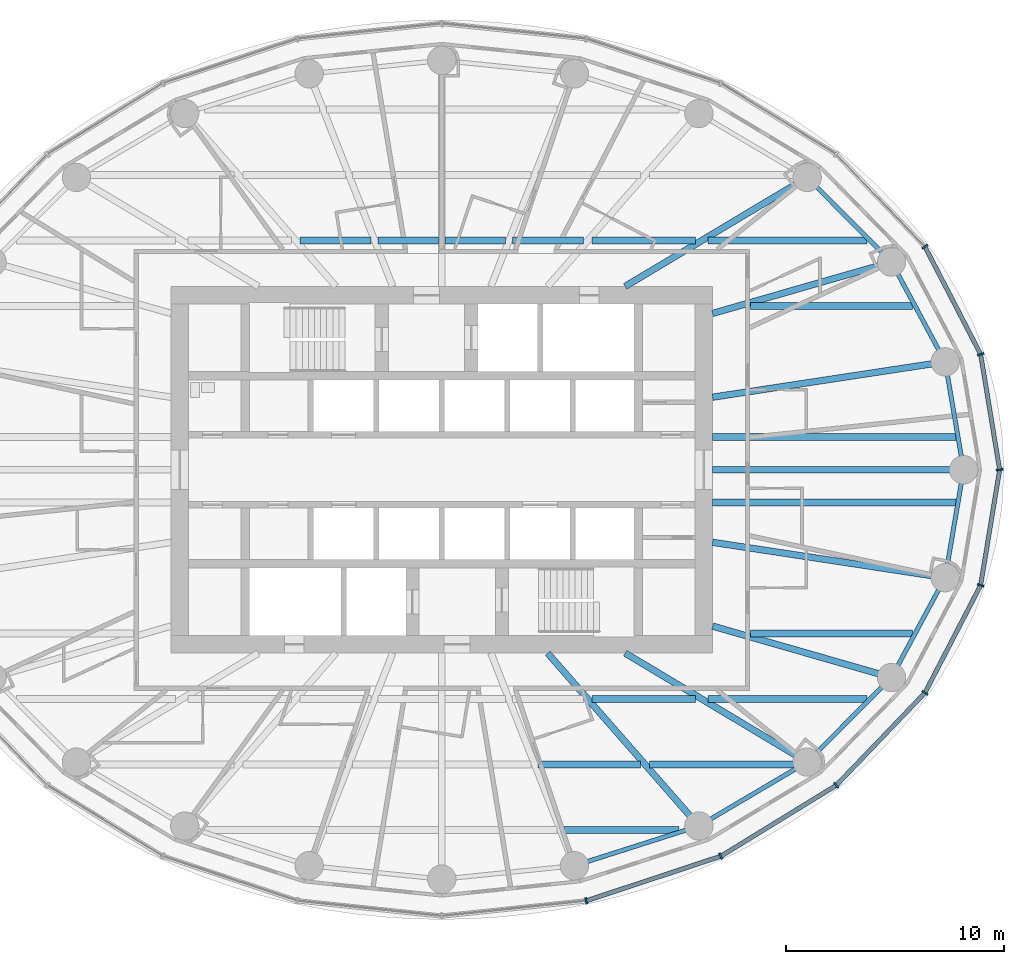
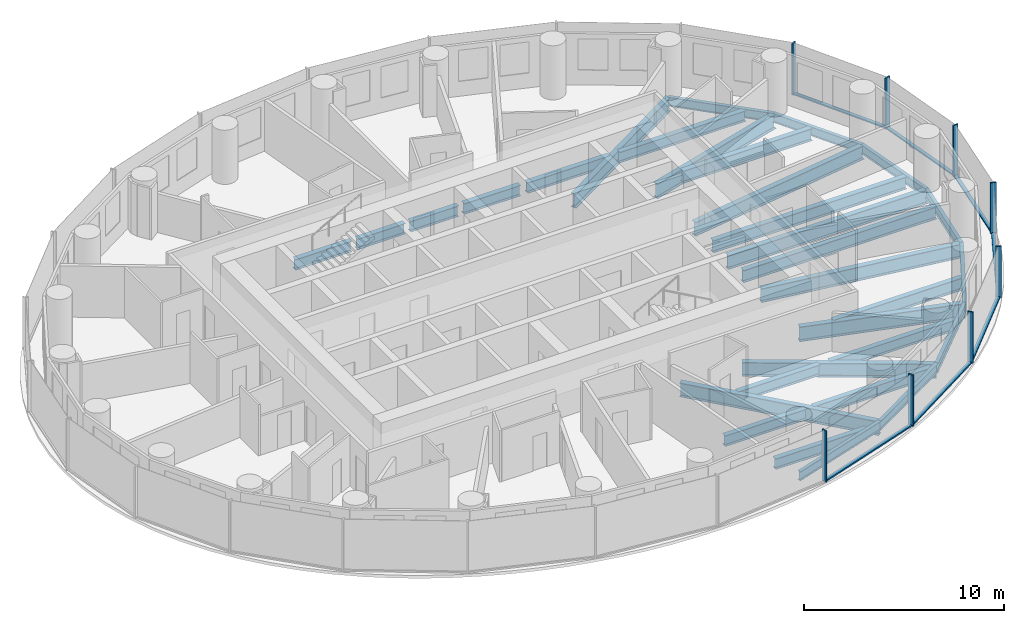
# One storey, part 3 of 14: 31 beams, 15 members, 2 elements without a shape of their own.
"""IFC4 building model written with IfcOpenShell, lengths in metres."""

from ifc_helpers import new_model, si_unit, direction, frame, origin, origin_2d, place, context, subcontext, project, spatial, rectangle, i_section, extrude, material, material_profile, profile_set, type_object, element, aggregate, save


model = new_model("IFC4")

# Units and contexts
model_context = context("Model", 3, precision=1e-05, world=origin(), true_north=direction((0.0, 1.0)))
body_context = subcontext(model_context, "Body", "Model", "MODEL_VIEW")
ifc_project = project(units=[si_unit("LENGTHUNIT", "METRE"), si_unit("AREAUNIT", "SQUARE_METRE"), si_unit("VOLUMEUNIT", "CUBIC_METRE"), si_unit("PLANEANGLEUNIT", "RADIAN"), si_unit("MASSUNIT", "GRAM", prefix="KILO")], contexts=[model_context])

# Site, building, storey
site_placement = place(None, origin())
site = spatial("IfcSite", under=ifc_project, at=site_placement, CompositionType="ELEMENT")
building_placement = place(site_placement, origin())
building = spatial("IfcBuilding", under=site, at=building_placement, Name="Hankou Lantern Tower", CompositionType="ELEMENT")
storey_placement = place(building_placement, frame((0.0, 0.0, 108.89990234375)))
storey = spatial("IfcBuildingStorey", under=building, at=storey_placement, Name="L27", CompositionType="ELEMENT", Elevation=108.89990234375)

# Beams
ifc_material_1 = material(Name="Steel Q355B", Category="steel")
ifc_material_profile_1 = material_profile(ifc_material_1, i_section(OverallWidth=0.199951171875, OverallDepth=0.550048828125, WebThickness=0.010009765625, FlangeThickness=0.01611328125, FilletRadius=0.012939453125, at=origin_2d()), Name="HN550x200x10x16")
ifc_profile_set_1 = profile_set([ifc_material_profile_1], Name="Steel Q355B")
beam_type_1 = type_object("IfcBeamType", Name="EB6 RING BEAM HN550x200x10x16", PredefinedType="SPANDREL", material=ifc_profile_set_1)
beam_1_placement = place(storey_placement, frame((23.89990234375, 0.0, -0.454833984375), z_axis=(-0.168527258545, 0.985696993567, 0.0), x_axis=(-0.985696993567, -0.168527258545, 0.0)))
element("IfcBeam", 1, at=beam_1_placement, inside=storey, type_object=beam_type_1, Name="Ring beam R01-R02 L27", PredefinedType="SPANDREL", context=body_context, shape_type="SweptSolid", body=[
    extrude(i_section(OverallWidth=0.199951171875, OverallDepth=0.550048828125, WebThickness=0.010009765625, FlangeThickness=0.01611328125, FilletRadius=0.012939453125, at=origin_2d()), origin(), (0.0, 0.0, 1.0), 5.013916015625),
])
beam_2_placement = place(storey_placement, frame((23.054931640625, 4.942138671875, -0.454833984375), z_axis=(-0.473824901673, 0.880619079145, 0.0), x_axis=(-0.880619079145, -0.473824901673, 0.0)))
element("IfcBeam", 2, at=beam_2_placement, inside=storey, type_object=beam_type_1, Name="Ring beam R02-R03 L27", PredefinedType="SPANDREL", context=body_context, shape_type="SweptSolid", body=[
    extrude(i_section(OverallWidth=0.199951171875, OverallDepth=0.550048828125, WebThickness=0.010009765625, FlangeThickness=0.01611328125, FilletRadius=0.012939453125, at=origin_2d()), origin(), (0.0, 0.0, 1.0), 5.190185546875),
])
beam_3_placement = place(storey_placement, frame((20.595703125, 9.5126953125, -0.454833984375), z_axis=(-0.705945468625, 0.708266189599, 0.0), x_axis=(-0.708266189599, -0.705945468625, 0.0)))
element("IfcBeam", 3, at=beam_3_placement, inside=storey, type_object=beam_type_1, Name="Ring beam R03-R04 L27", PredefinedType="SPANDREL", context=body_context, shape_type="SweptSolid", body=[
    extrude(i_section(OverallWidth=0.199951171875, OverallDepth=0.550048828125, WebThickness=0.010009765625, FlangeThickness=0.01611328125, FilletRadius=0.012939453125, at=origin_2d()), origin(), (0.0, 0.0, 1.0), 5.470458984375),
])
beam_4_placement = place(storey_placement, frame((6.073974609375, -18.134521484375, -0.454833984375), z_axis=(0.952731090451, 0.303814860215, 0.0), x_axis=(-0.303814860215, 0.952731090451, 0.0)))
element("IfcBeam", 4, at=beam_4_placement, inside=storey, type_object=beam_type_1, Name="Ring beam R20-R21 L27", PredefinedType="SPANDREL", context=body_context, shape_type="SweptSolid", body=[
    extrude(i_section(OverallWidth=0.199951171875, OverallDepth=0.550048828125, WebThickness=0.010009765625, FlangeThickness=0.01611328125, FilletRadius=0.012939453125, at=origin_2d()), origin(), (0.0, 0.0, 1.0), 5.984375),
])
beam_5_placement = place(storey_placement, frame((11.775390625, -16.31640625, -0.454833984375), z_axis=(0.860988974188, 0.508623619513, 0.0), x_axis=(-0.508623619513, 0.860988974188, 0.0)))
element("IfcBeam", 5, at=beam_5_placement, inside=storey, type_object=beam_type_1, Name="Ring beam R21-R22 L27", PredefinedType="SPANDREL", context=body_context, shape_type="SweptSolid", body=[
    extrude(i_section(OverallWidth=0.199951171875, OverallDepth=0.550048828125, WebThickness=0.010009765625, FlangeThickness=0.01611328125, FilletRadius=0.012939453125, at=origin_2d()), origin(), (0.0, 0.0, 1.0), 5.759033203125),
])
beam_6_placement = place(storey_placement, frame((16.73388671875, -13.38720703125, -0.454833984375), z_axis=(0.705945468625, 0.708266189599, 0.0), x_axis=(-0.708266189599, 0.705945468625, 0.0)))
element("IfcBeam", 6, at=beam_6_placement, inside=storey, type_object=beam_type_1, Name="Ring beam R22-R23 L27", PredefinedType="SPANDREL", context=body_context, shape_type="SweptSolid", body=[
    extrude(i_section(OverallWidth=0.199951171875, OverallDepth=0.550048828125, WebThickness=0.010009765625, FlangeThickness=0.01611328125, FilletRadius=0.012939453125, at=origin_2d()), origin(), (0.0, 0.0, 1.0), 5.470458984375),
])
beam_7_placement = place(storey_placement, frame((20.595703125, -9.5126953125, -0.454833984375), z_axis=(0.473824901673, 0.880619079145, 0.0), x_axis=(-0.880619079145, 0.473824901673, 0.0)))
element("IfcBeam", 7, at=beam_7_placement, inside=storey, type_object=beam_type_1, Name="Ring beam R23-R24 L27", PredefinedType="SPANDREL", context=body_context, shape_type="SweptSolid", body=[
    extrude(i_section(OverallWidth=0.199951171875, OverallDepth=0.550048828125, WebThickness=0.010009765625, FlangeThickness=0.01611328125, FilletRadius=0.012939453125, at=origin_2d()), origin(), (0.0, 0.0, 1.0), 5.190185546875),
])
beam_8_placement = place(storey_placement, frame((23.054931640625, -4.942138671875, -0.454833984375), z_axis=(0.168527258545, 0.985696993567, 0.0), x_axis=(-0.985696993567, 0.168527258545, 0.0)))
element("IfcBeam", 8, at=beam_8_placement, inside=storey, type_object=beam_type_1, Name="Ring beam R24-R01 L27", PredefinedType="SPANDREL", context=body_context, shape_type="SweptSolid", body=[
    extrude(i_section(OverallWidth=0.199951171875, OverallDepth=0.550048828125, WebThickness=0.010009765625, FlangeThickness=0.01611328125, FilletRadius=0.012939453125, at=origin_2d()), origin(), (0.0, 0.0, 1.0), 5.013916015625),
])

# Curtain wall, members
ifc_material_2 = material(Name="Glass, dark grey tinted laminated", Category="glass")
curtain_wall_type = type_object("IfcCurtainWallType", Name="CWB OUTER SKIN MID-RISE", PredefinedType="USERDEFINED", material=ifc_material_2)
curtain_wall_1_placement = place(storey_placement, origin())
curtain_wall_1 = element("IfcCurtainWall", 9, at=curtain_wall_1_placement, inside=storey, type_object=curtain_wall_type, Name="CWB L27 OS1", ObjectType="OUTER SKIN MID-RISE", PredefinedType="USERDEFINED")
ifc_material_3 = material(Name="Aluminium, black anodised", Category="aluminium")
ifc_material_profile_2 = material_profile(ifc_material_3, rectangle(XDim=0.080078125, YDim=0.300048828125, at=origin_2d()), Name="MU1 80X300")
ifc_profile_set_2 = profile_set([ifc_material_profile_2], Name="Aluminium, black anodised")
member_type_1 = type_object("IfcMemberType", Name="MU1 OUTER SKIN MULLION 80X300", PredefinedType="MULLION", material=ifc_profile_set_2)
member_1_placement = place(storey_placement, frame((25.550048828125, 0.0, 0.0), z_axis=(0.0, 0.0, 1.0), x_axis=(-0.162381515188, 0.986728049427, 0.0)))
member_1 = element("IfcMember", 10, at=member_1_placement, type_object=member_type_1, Name="CWB mullion 1", PredefinedType="MULLION", context=body_context, shape_type="SweptSolid", body=[
    extrude(rectangle(XDim=0.080078125, YDim=0.300048828125, at=origin_2d()), origin(), (0.0, 0.0, 1.0), 3.1201171875),
])
member_2_placement = place(storey_placement, frame((24.679443359375, 5.290283203125, 0.0), z_axis=(0.0, 0.0, 1.0), x_axis=(-0.317595577365, 0.94822626479, 0.0)))
member_2 = element("IfcMember", 11, at=member_2_placement, type_object=member_type_1, Name="CWB mullion 2", PredefinedType="MULLION", context=body_context, shape_type="SweptSolid", body=[
    extrude(rectangle(XDim=0.080078125, YDim=0.300048828125, at=origin_2d()), origin(), (0.0, 0.0, 1.0), 3.1201171875),
])
member_3_placement = place(storey_placement, frame((22.126953125, 10.219970703125, 0.0), z_axis=(0.0, 0.0, 1.0), x_axis=(-0.585205735974, 0.810884854084, 0.0)))
member_3 = element("IfcMember", 12, at=member_3_placement, type_object=member_type_1, Name="CWB mullion 3", PredefinedType="MULLION", context=body_context, shape_type="SweptSolid", body=[
    extrude(rectangle(XDim=0.080078125, YDim=0.300048828125, at=origin_2d()), origin(), (0.0, 0.0, 1.0), 3.1201171875),
])

curtain_wall_2_placement = place(storey_placement, origin())
curtain_wall_2 = element("IfcCurtainWall", 13, at=curtain_wall_2_placement, inside=storey, type_object=curtain_wall_type, Name="CWB L27 OS4", ObjectType="OUTER SKIN MID-RISE", PredefinedType="USERDEFINED")
member_4_placement = place(storey_placement, frame((6.61279296875, -19.743408203125, 0.0), z_axis=(0.0, 0.0, 1.0), x_axis=(0.977787659625, 0.209597931016, 0.0)))
member_4 = element("IfcMember", 14, at=member_4_placement, type_object=member_type_1, Name="CWB mullion 2", PredefinedType="MULLION", context=body_context, shape_type="SweptSolid", body=[
    extrude(rectangle(XDim=0.080078125, YDim=0.300048828125, at=origin_2d()), origin(), (0.0, 0.0, 1.0), 3.1201171875),
])
member_5_placement = place(storey_placement, frame((12.77490234375, -17.70166015625, 0.0), z_axis=(0.0, 0.0, 1.0), x_axis=(0.907841299004, 0.419313934686, 0.0)))
member_5 = element("IfcMember", 15, at=member_5_placement, type_object=member_type_1, Name="CWB mullion 3", PredefinedType="MULLION", context=body_context, shape_type="SweptSolid", body=[
    extrude(rectangle(XDim=0.080078125, YDim=0.300048828125, at=origin_2d()), origin(), (0.0, 0.0, 1.0), 3.1201171875),
])
member_6_placement = place(storey_placement, frame((18.066650390625, -14.453369140625, 0.0), z_axis=(0.0, 0.0, 1.0), x_axis=(0.780868809444, 0.624695047553, 0.0)))
member_6 = element("IfcMember", 16, at=member_6_placement, type_object=member_type_1, Name="CWB mullion 4", PredefinedType="MULLION", context=body_context, shape_type="SweptSolid", body=[
    extrude(rectangle(XDim=0.080078125, YDim=0.300048828125, at=origin_2d()), origin(), (0.0, 0.0, 1.0), 3.1201171875),
])
member_7_placement = place(storey_placement, frame((22.126953125, -10.219970703125, 0.0), z_axis=(0.0, 0.0, 1.0), x_axis=(0.585205735974, 0.810884854084, 0.0)))
member_7 = element("IfcMember", 17, at=member_7_placement, type_object=member_type_1, Name="CWB mullion 5", PredefinedType="MULLION", context=body_context, shape_type="SweptSolid", body=[
    extrude(rectangle(XDim=0.080078125, YDim=0.300048828125, at=origin_2d()), origin(), (0.0, 0.0, 1.0), 3.1201171875),
])
member_8_placement = place(storey_placement, frame((24.679443359375, -5.290283203125, 0.0), z_axis=(0.0, 0.0, 1.0), x_axis=(0.317595577365, 0.94822626479, 0.0)))
member_8 = element("IfcMember", 18, at=member_8_placement, type_object=member_type_1, Name="CWB mullion 6", PredefinedType="MULLION", context=body_context, shape_type="SweptSolid", body=[
    extrude(rectangle(XDim=0.080078125, YDim=0.300048828125, at=origin_2d()), origin(), (0.0, 0.0, 1.0), 3.1201171875),
])

# Beams
ifc_material_4 = material(Name="Steel Q355B", Category="steel")
ifc_material_profile_3 = material_profile(ifc_material_4, i_section(OverallWidth=0.300048828125, OverallDepth=0.85009765625, WebThickness=0.01611328125, FlangeThickness=0.027099609375, FilletRadius=0.01806640625, at=origin_2d()), Name="HN850x300x16x27")
ifc_profile_set_3 = profile_set([ifc_material_profile_3], Name="Steel Q355B")
beam_type_2 = type_object("IfcBeamType", Name="RB12 RADIAL BEAM HN850x300x16x27", PredefinedType="BEAM", material=ifc_profile_set_3)
beam_9_placement = place(storey_placement, frame((12.39990234375, 0.0, -0.60498046875), z_axis=(1.0, 0.0, 0.0), x_axis=(0.0, 1.0, 0.0)))
element("IfcBeam", 19, at=beam_9_placement, inside=storey, type_object=beam_type_2, Name="Radial beam R01 L27", PredefinedType="BEAM", context=body_context, shape_type="SweptSolid", body=[
    extrude(i_section(OverallWidth=0.300048828125, OverallDepth=0.85009765625, WebThickness=0.01611328125, FlangeThickness=0.027099609375, FilletRadius=0.01806640625, at=origin_2d()), origin(), (0.0, 0.0, 1.0), 11.5),
])
beam_10_placement = place(storey_placement, frame((12.39990234375, 3.322509765625, -0.60498046875), z_axis=(0.988643506875, 0.150279793429, 0.0), x_axis=(-0.150279793429, 0.988643506875, 0.0)))
element("IfcBeam", 20, at=beam_10_placement, inside=storey, type_object=beam_type_2, Name="Radial beam R02 L27", PredefinedType="BEAM", context=body_context, shape_type="SweptSolid", body=[
    extrude(i_section(OverallWidth=0.300048828125, OverallDepth=0.85009765625, WebThickness=0.01611328125, FlangeThickness=0.027099609375, FilletRadius=0.01806640625, at=origin_2d()), origin(), (0.0, 0.0, 1.0), 10.77734375),
])
beam_11_placement = place(storey_placement, frame((8.39990234375, 8.39990234375, -0.60498046875), z_axis=(0.858086776551, 0.513504706802, 0.0), x_axis=(-0.513504706802, 0.858086776551, 0.0)))
element("IfcBeam", 21, at=beam_11_placement, inside=storey, type_object=beam_type_2, Name="Radial beam R04 L27", PredefinedType="BEAM", context=body_context, shape_type="SweptSolid", body=[
    extrude(i_section(OverallWidth=0.300048828125, OverallDepth=0.85009765625, WebThickness=0.01611328125, FlangeThickness=0.027099609375, FilletRadius=0.01806640625, at=origin_2d()), origin(), (0.0, 0.0, 1.0), 9.71240234375),
])
beam_12_placement = place(storey_placement, frame((4.849853515625, -8.39990234375, -0.60498046875), z_axis=(0.658429014446, -0.752642832249, 0.0), x_axis=(0.752642832249, 0.658429014446, 0.0)))
element("IfcBeam", 22, at=beam_12_placement, inside=storey, type_object=beam_type_2, Name="Radial beam R21 L27", PredefinedType="BEAM", context=body_context, shape_type="SweptSolid", body=[
    extrude(i_section(OverallWidth=0.300048828125, OverallDepth=0.85009765625, WebThickness=0.01611328125, FlangeThickness=0.027099609375, FilletRadius=0.01806640625, at=origin_2d()), origin(), (0.0, 0.0, 1.0), 10.518310546875),
])
beam_13_placement = place(storey_placement, frame((8.39990234375, -8.39990234375, -0.60498046875), z_axis=(0.858086776551, -0.513504706802, 0.0), x_axis=(0.513504706802, 0.858086776551, 0.0)))
element("IfcBeam", 23, at=beam_13_placement, inside=storey, type_object=beam_type_2, Name="Radial beam R22 L27", PredefinedType="BEAM", context=body_context, shape_type="SweptSolid", body=[
    extrude(i_section(OverallWidth=0.300048828125, OverallDepth=0.85009765625, WebThickness=0.01611328125, FlangeThickness=0.027099609375, FilletRadius=0.01806640625, at=origin_2d()), origin(), (0.0, 0.0, 1.0), 9.71240234375),
])
beam_14_placement = place(storey_placement, frame((12.39990234375, -3.322509765625, -0.60498046875), z_axis=(0.988643506875, -0.150279793429, 0.0), x_axis=(0.150279793429, 0.988643506875, 0.0)))
element("IfcBeam", 24, at=beam_14_placement, inside=storey, type_object=beam_type_2, Name="Radial beam R24 L27", PredefinedType="BEAM", context=body_context, shape_type="SweptSolid", body=[
    extrude(i_section(OverallWidth=0.300048828125, OverallDepth=0.85009765625, WebThickness=0.01611328125, FlangeThickness=0.027099609375, FilletRadius=0.01806640625, at=origin_2d()), origin(), (0.0, 0.0, 1.0), 10.77734375),
])
ifc_material_5 = material(Name="Steel Q355B", Category="steel")
ifc_material_profile_4 = material_profile(ifc_material_5, i_section(OverallWidth=0.300048828125, OverallDepth=0.89990234375, WebThickness=0.01611328125, FlangeThickness=0.028076171875, FilletRadius=0.01806640625, at=origin_2d()), Name="HN900x300x16x28")
ifc_profile_set_4 = profile_set([ifc_material_profile_4], Name="Steel Q355B")
beam_type_3 = type_object("IfcBeamType", Name="RB13 RADIAL BEAM HN900x300x16x28", PredefinedType="BEAM", material=ifc_profile_set_4)
for number, where, z_axis, x_axis, name in (
    (25, (12.39990234375, 7.1591796875, -0.6298828125), (0.961155741911, 0.276006593745, 0.0), (-0.276006593745, 0.961155741911, 0.0), "Radial beam R03 L27"),
    (26, (12.39990234375, -7.1591796875, -0.6298828125), (0.961155741911, -0.276006593745, 0.0), (0.276006593745, 0.961155741911, 0.0), "Radial beam R23 L27"),
):
    element("IfcBeam", number, at=place(storey_placement, frame(where, z_axis=z_axis, x_axis=x_axis)), inside=storey, type_object=beam_type_3, Name=name, PredefinedType="BEAM", context=body_context, shape_type="SweptSolid", body=[
        extrude(i_section(OverallWidth=0.300048828125, OverallDepth=0.89990234375, WebThickness=0.01611328125, FlangeThickness=0.028076171875, FilletRadius=0.01806640625, at=origin_2d()), origin(), (0.0, 0.0, 1.0), 8.527099609375),
    ])
ifc_material_6 = material(Name="Steel Q355B", Category="steel")
ifc_material_profile_5 = material_profile(ifc_material_6, i_section(OverallWidth=0.300048828125, OverallDepth=0.75, WebThickness=0.012939453125, FlangeThickness=0.02392578125, FilletRadius=0.01806640625, at=origin_2d()), Name="HN750x300x13x24")
ifc_profile_set_5 = profile_set([ifc_material_profile_5], Name="Steel Q355B")
beam_type_4 = type_object("IfcBeamType", Name="SB10 SECONDARY BEAM HN750x300x13x24", PredefinedType="JOIST", material=ifc_profile_set_5)
beam_15_placement = place(storey_placement, frame((14.13037109375, -7.5, -0.554931640625), z_axis=(1.0, 0.0, 0.0), x_axis=(0.0, 1.0, 0.0)))
element("IfcBeam", 27, at=beam_15_placement, inside=storey, type_object=beam_type_4, Name="Floor joist J020 L27", PredefinedType="JOIST", context=body_context, shape_type="SweptSolid", body=[
    extrude(i_section(OverallWidth=0.300048828125, OverallDepth=0.75, WebThickness=0.012939453125, FlangeThickness=0.02392578125, FilletRadius=0.01806640625, at=origin_2d()), origin(), (0.0, 0.0, 1.0), 7.4345703125),
])
for number, where, z_axis, x_axis, name in (
    (28, (12.39990234375, -1.5, -0.554931640625), (1.0, 0.0, 0.0), (0.0, 1.0, 0.0), "Floor joist J026 L27"),
    (29, (12.39990234375, 1.5, -0.554931640625), (1.0, 0.0, 0.0), (0.0, 1.0, 0.0), "Floor joist J028 L27"),
):
    element("IfcBeam", number, at=place(storey_placement, frame(where, z_axis=z_axis, x_axis=x_axis)), inside=storey, type_object=beam_type_4, Name=name, PredefinedType="JOIST", context=body_context, shape_type="SweptSolid", body=[
        extrude(i_section(OverallWidth=0.300048828125, OverallDepth=0.75, WebThickness=0.012939453125, FlangeThickness=0.02392578125, FilletRadius=0.01806640625, at=origin_2d()), origin(), (0.0, 0.0, 1.0), 11.14208984375),
    ])
beam_16_placement = place(storey_placement, frame((14.13037109375, 7.5, -0.554931640625), z_axis=(1.0, 0.0, 0.0), x_axis=(0.0, 1.0, 0.0)))
element("IfcBeam", 30, at=beam_16_placement, inside=storey, type_object=beam_type_4, Name="Floor joist J034 L27", PredefinedType="JOIST", context=body_context, shape_type="SweptSolid", body=[
    extrude(i_section(OverallWidth=0.300048828125, OverallDepth=0.75, WebThickness=0.012939453125, FlangeThickness=0.02392578125, FilletRadius=0.01806640625, at=origin_2d()), origin(), (0.0, 0.0, 1.0), 7.4345703125),
])
ifc_material_7 = material(Name="Steel Q355B", Category="steel")
ifc_material_profile_6 = material_profile(ifc_material_7, i_section(OverallWidth=0.300048828125, OverallDepth=0.64990234375, WebThickness=0.010986328125, FlangeThickness=0.01708984375, FilletRadius=0.01806640625, at=origin_2d()), Name="HN650x300x11x17")
ifc_profile_set_6 = profile_set([ifc_material_profile_6], Name="Steel Q355B")
beam_type_5 = type_object("IfcBeamType", Name="SB8 SECONDARY BEAM HN650x300x11x17", PredefinedType="JOIST", material=ifc_profile_set_6)
beam_17_placement = place(storey_placement, frame((5.59326171875, -16.5, -0.5048828125), z_axis=(1.0, 0.0, 0.0), x_axis=(0.0, 1.0, 0.0)))
element("IfcBeam", 31, at=beam_17_placement, inside=storey, type_object=beam_type_5, Name="Floor joist J004 L27", PredefinedType="JOIST", context=body_context, shape_type="SweptSolid", body=[
    extrude(i_section(OverallWidth=0.300048828125, OverallDepth=0.64990234375, WebThickness=0.010986328125, FlangeThickness=0.01708984375, FilletRadius=0.01806640625, at=origin_2d()), origin(), (0.0, 0.0, 1.0), 5.27685546875),
])
beam_18_placement = place(storey_placement, frame((4.4150390625, -13.5, -0.5048828125), z_axis=(1.0, 0.0, 0.0), x_axis=(0.0, 1.0, 0.0)))
element("IfcBeam", 32, at=beam_18_placement, inside=storey, type_object=beam_type_5, Name="Floor joist J009 L27", PredefinedType="JOIST", context=body_context, shape_type="SweptSolid", body=[
    extrude(i_section(OverallWidth=0.300048828125, OverallDepth=0.64990234375, WebThickness=0.010986328125, FlangeThickness=0.01708984375, FilletRadius=0.01806640625, at=origin_2d()), origin(), (0.0, 0.0, 1.0), 4.697021484375),
])
beam_19_placement = place(storey_placement, frame((9.5107421875, -13.5, -0.5048828125), z_axis=(1.0, 0.0, 0.0), x_axis=(0.0, 1.0, 0.0)))
element("IfcBeam", 33, at=beam_19_placement, inside=storey, type_object=beam_type_5, Name="Floor joist J010 L27", PredefinedType="JOIST", context=body_context, shape_type="SweptSolid", body=[
    extrude(i_section(OverallWidth=0.300048828125, OverallDepth=0.64990234375, WebThickness=0.010986328125, FlangeThickness=0.01708984375, FilletRadius=0.01806640625, at=origin_2d()), origin(), (0.0, 0.0, 1.0), 6.83544921875),
])
beam_20_placement = place(storey_placement, frame((6.88623046875, -10.5, -0.5048828125), z_axis=(1.0, 0.0, 0.0), x_axis=(0.0, 1.0, 0.0)))
element("IfcBeam", 34, at=beam_20_placement, inside=storey, type_object=beam_type_5, Name="Floor joist J017 L27", PredefinedType="JOIST", context=body_context, shape_type="SweptSolid", body=[
    extrude(i_section(OverallWidth=0.300048828125, OverallDepth=0.64990234375, WebThickness=0.010986328125, FlangeThickness=0.01708984375, FilletRadius=0.01806640625, at=origin_2d()), origin(), (0.0, 0.0, 1.0), 4.73095703125),
])
beam_21_placement = place(storey_placement, frame((12.201416015625, -10.5, -0.5048828125), z_axis=(1.0, 0.0, 0.0), x_axis=(0.0, 1.0, 0.0)))
element("IfcBeam", 35, at=beam_21_placement, inside=storey, type_object=beam_type_5, Name="Floor joist J018 L27", PredefinedType="JOIST", context=body_context, shape_type="SweptSolid", body=[
    extrude(i_section(OverallWidth=0.300048828125, OverallDepth=0.64990234375, WebThickness=0.010986328125, FlangeThickness=0.01708984375, FilletRadius=0.01806640625, at=origin_2d()), origin(), (0.0, 0.0, 1.0), 7.26904296875),
])
beam_22_placement = place(storey_placement, frame((-6.487548828125, 10.5, -0.5048828125), z_axis=(1.0, 0.0, 0.0), x_axis=(0.0, 1.0, 0.0)))
element("IfcBeam", 36, at=beam_22_placement, inside=storey, type_object=beam_type_5, Name="Floor joist J037 L27", PredefinedType="JOIST", context=body_context, shape_type="SweptSolid", body=[
    extrude(i_section(OverallWidth=0.300048828125, OverallDepth=0.64990234375, WebThickness=0.010986328125, FlangeThickness=0.01708984375, FilletRadius=0.01806640625, at=origin_2d()), origin(), (0.0, 0.0, 1.0), 3.2509765625),
])
for number, where, z_axis, x_axis, name in (
    (37, (-2.914306640625, 10.5, -0.5048828125), (1.0, 0.0, 0.0), (0.0, 1.0, 0.0), "Floor joist J038 L27"),
    (38, (0.14990234375, 10.5, -0.5048828125), (1.0, 0.0, 0.0), (0.0, 1.0, 0.0), "Floor joist J039 L27"),
):
    element("IfcBeam", number, at=place(storey_placement, frame(where, z_axis=z_axis, x_axis=x_axis)), inside=storey, type_object=beam_type_5, Name=name, PredefinedType="JOIST", context=body_context, shape_type="SweptSolid", body=[
        extrude(i_section(OverallWidth=0.300048828125, OverallDepth=0.64990234375, WebThickness=0.010986328125, FlangeThickness=0.01708984375, FilletRadius=0.01806640625, at=origin_2d()), origin(), (0.0, 0.0, 1.0), 2.764404296875),
    ])
beam_23_placement = place(storey_placement, frame((3.236572265625, 10.5, -0.5048828125), z_axis=(1.0, 0.0, 0.0), x_axis=(0.0, 1.0, 0.0)))
element("IfcBeam", 39, at=beam_23_placement, inside=storey, type_object=beam_type_5, Name="Floor joist J040 L27", PredefinedType="JOIST", context=body_context, shape_type="SweptSolid", body=[
    extrude(i_section(OverallWidth=0.300048828125, OverallDepth=0.64990234375, WebThickness=0.010986328125, FlangeThickness=0.01708984375, FilletRadius=0.01806640625, at=origin_2d()), origin(), (0.0, 0.0, 1.0), 3.2509765625),
])
beam_24_placement = place(storey_placement, frame((6.88623046875, 10.5, -0.5048828125), z_axis=(1.0, 0.0, 0.0), x_axis=(0.0, 1.0, 0.0)))
element("IfcBeam", 40, at=beam_24_placement, inside=storey, type_object=beam_type_5, Name="Floor joist J041 L27", PredefinedType="JOIST", context=body_context, shape_type="SweptSolid", body=[
    extrude(i_section(OverallWidth=0.300048828125, OverallDepth=0.64990234375, WebThickness=0.010986328125, FlangeThickness=0.01708984375, FilletRadius=0.01806640625, at=origin_2d()), origin(), (0.0, 0.0, 1.0), 4.73095703125),
])
beam_25_placement = place(storey_placement, frame((12.201416015625, 10.5, -0.5048828125), z_axis=(1.0, 0.0, 0.0), x_axis=(0.0, 1.0, 0.0)))
element("IfcBeam", 41, at=beam_25_placement, inside=storey, type_object=beam_type_5, Name="Floor joist J042 L27", PredefinedType="JOIST", context=body_context, shape_type="SweptSolid", body=[
    extrude(i_section(OverallWidth=0.300048828125, OverallDepth=0.64990234375, WebThickness=0.010986328125, FlangeThickness=0.01708984375, FilletRadius=0.01806640625, at=origin_2d()), origin(), (0.0, 0.0, 1.0), 7.26904296875),
])

# Member
ifc_material_8 = material(Name="Aluminium, black anodised", Category="aluminium")
ifc_material_profile_7 = material_profile(ifc_material_8, rectangle(XDim=0.199951171875, YDim=0.080078125, at=origin_2d()), Name="TR1 200X80")
ifc_profile_set_7 = profile_set([ifc_material_profile_7], Name="Aluminium, black anodised")
member_type_2 = type_object("IfcMemberType", Name="TR1 OUTER SKIN TRANSOM 200X80", PredefinedType="USERDEFINED", material=ifc_profile_set_7)
member_9_placement = place(storey_placement, frame((25.54345703125, 0.03955078125, 0.0400390625), z_axis=(-0.162397124076, 0.986725480614, 0.0), x_axis=(-0.986725480614, -0.162397124076, 0.0)))
member_9 = element("IfcMember", 42, at=member_9_placement, type_object=member_type_2, Name="CWB transom 1", ObjectType="TRANSOM", PredefinedType="USERDEFINED", context=body_context, shape_type="SweptSolid", body=[
    extrude(rectangle(XDim=0.199951171875, YDim=0.080078125, at=origin_2d()), origin(), (0.0, 0.0, 1.0), 5.28125),
])

member_10_placement = place(storey_placement, frame((24.6611328125, 5.32568359375, 0.0400390625), z_axis=(-0.459805240543, 0.888019786249, 0.0), x_axis=(-0.888019786249, -0.459805240543, 0.0)))
member_10 = element("IfcMember", 43, at=member_10_placement, type_object=member_type_2, Name="CWB transom 2", ObjectType="TRANSOM", PredefinedType="USERDEFINED", context=body_context, shape_type="SweptSolid", body=[
    extrude(rectangle(XDim=0.199951171875, YDim=0.080078125, at=origin_2d()), origin(), (0.0, 0.0, 1.0), 5.4716796875),
])

aggregate(curtain_wall_1, [member_1, member_2, member_3, member_9, member_10])

member_11_placement = place(storey_placement, frame((6.65087890625, -19.73095703125, 0.0400390625), z_axis=(0.949237765745, 0.314559476225, 0.0), x_axis=(-0.314559476225, 0.949237765745, 0.0)))
member_11 = element("IfcMember", 44, at=member_11_placement, type_object=member_type_2, Name="CWB transom 2", ObjectType="TRANSOM", PredefinedType="USERDEFINED", context=body_context, shape_type="SweptSolid", body=[
    extrude(rectangle(XDim=0.199951171875, YDim=0.080078125, at=origin_2d()), origin(), (0.0, 0.0, 1.0), 6.41162109375),
])

member_12_placement = place(storey_placement, frame((12.80908203125, -17.6806640625, 0.0400390625), z_axis=(0.852229492169, 0.523168130411, 0.0), x_axis=(-0.523168130411, 0.852229492169, 0.0)))
member_12 = element("IfcMember", 45, at=member_12_placement, type_object=member_type_2, Name="CWB transom 3", ObjectType="TRANSOM", PredefinedType="USERDEFINED", context=body_context, shape_type="SweptSolid", body=[
    extrude(rectangle(XDim=0.199951171875, YDim=0.080078125, at=origin_2d()), origin(), (0.0, 0.0, 1.0), 6.129150390625),
])

member_13_placement = place(storey_placement, frame((18.09423828125, -14.42431640625, 0.0400390625), z_axis=(0.692226977748, 0.721679853729, 0.0), x_axis=(-0.721679853729, 0.692226977748, 0.0)))
member_13 = element("IfcMember", 46, at=member_13_placement, type_object=member_type_2, Name="CWB transom 4", ObjectType="TRANSOM", PredefinedType="USERDEFINED", context=body_context, shape_type="SweptSolid", body=[
    extrude(rectangle(XDim=0.199951171875, YDim=0.080078125, at=origin_2d()), origin(), (0.0, 0.0, 1.0), 5.785888671875),
])

member_14_placement = place(storey_placement, frame((22.145263671875, -10.1845703125, 0.0400390625), z_axis=(0.459805240543, 0.888019786249, 0.0), x_axis=(-0.888019786249, 0.459805240543, 0.0)))
member_14 = element("IfcMember", 47, at=member_14_placement, type_object=member_type_2, Name="CWB transom 5", ObjectType="TRANSOM", PredefinedType="USERDEFINED", context=body_context, shape_type="SweptSolid", body=[
    extrude(rectangle(XDim=0.199951171875, YDim=0.080078125, at=origin_2d()), origin(), (0.0, 0.0, 1.0), 5.4716796875),
])

member_15_placement = place(storey_placement, frame((24.685791015625, -5.250732421875, 0.0400390625), z_axis=(0.162397124076, 0.986725480614, 0.0), x_axis=(-0.986725480614, 0.162397124076, 0.0)))
member_15 = element("IfcMember", 48, at=member_15_placement, type_object=member_type_2, Name="CWB transom 6", ObjectType="TRANSOM", PredefinedType="USERDEFINED", context=body_context, shape_type="SweptSolid", body=[
    extrude(rectangle(XDim=0.199951171875, YDim=0.080078125, at=origin_2d()), origin(), (0.0, 0.0, 1.0), 5.28125),
])

aggregate(curtain_wall_2, [member_4, member_5, member_6, member_7, member_8, member_11, member_12, member_13, member_14, member_15])

save(model, "model.ifc")
